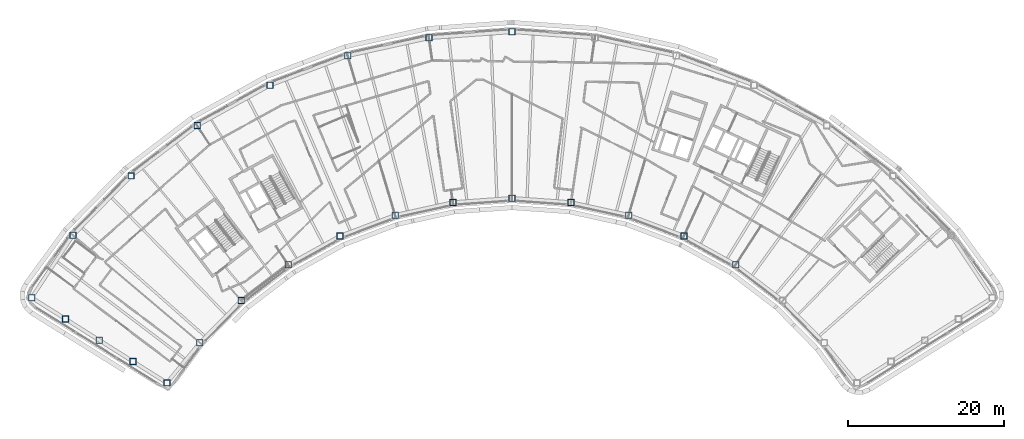
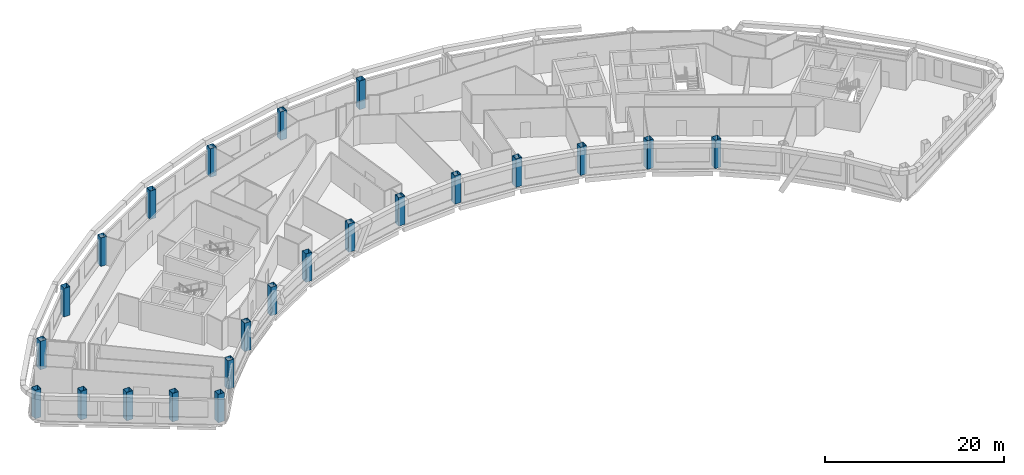
# One storey, part 1 of 14: 23 columns.
"""IFC4 building model written with IfcOpenShell, lengths in metres."""

from ifc_helpers import new_model, si_unit, direction, frame, origin, origin_2d, place, context, subcontext, project, spatial, hollow_rectangle, extrude, material, material_profile, profile_set, type_object, element, save


model = new_model("IFC4")

# Units and contexts
model_context = context("Model", 3, precision=1e-05, world=origin(), true_north=direction((0.0, 1.0)))
body_context = subcontext(model_context, "Body", "Model", "MODEL_VIEW")
ifc_project = project(units=[si_unit("LENGTHUNIT", "METRE"), si_unit("AREAUNIT", "SQUARE_METRE"), si_unit("VOLUMEUNIT", "CUBIC_METRE"), si_unit("PLANEANGLEUNIT", "RADIAN"), si_unit("MASSUNIT", "GRAM", prefix="KILO")], contexts=[model_context])

# Site, building, storey
site_placement = place(None, origin())
site = spatial("IfcSite", under=ifc_project, at=site_placement, CompositionType="ELEMENT")
building_placement = place(site_placement, origin())
building = spatial("IfcBuilding", under=site, at=building_placement, Name="Tuul Gate Civic Tower", CompositionType="ELEMENT")
storey_placement = place(building_placement, frame((0.0, 0.0, 323.89990234375)))
storey = spatial("IfcBuildingStorey", under=building, at=storey_placement, Name="Level 73", CompositionType="ELEMENT", Elevation=323.89990234375)

# Columns
ifc_material = material(Name="Steel S355", Category="steel")
ifc_material_profile = material_profile(ifc_material, hollow_rectangle(XDim=0.800048828125, YDim=0.800048828125, WallThickness=0.031982421875, at=origin_2d()), Name="BOX800x800x32")
ifc_profile_set = profile_set([ifc_material_profile], Name="Steel S355")
column_type = type_object("IfcColumnType", Name="STR-COLUMN-BOX800x800x32", PredefinedType="COLUMN", material=ifc_profile_set)
for number, where, z_axis, x_axis, name in (
    (1, (2.19189453125, 13.827880859375, 0.0), (0.0, 0.0, 1.0), (1.0, 0.0, 0.0), "Column"),
    (2, (-8.45703125, 13.055908203125, 0.0), (0.0, 0.0, 1.0), (1.0, 0.0, 0.0), "Column"),
    (3, (-18.885009765625, 10.758056640625, 0.0), (0.0, 0.0, 1.0), (1.0, 0.0, 0.0), "Column"),
    (4, (-28.8720703125, 6.98193359375, 0.0), (0.0, 0.0, 1.0), (1.0, 0.0, 0.0), "Column"),
    (5, (-38.2099609375, 1.804931640625, 0.0), (0.0, 0.0, 1.0), (1.0, 0.0, 0.0), "Column"),
    (6, (-46.7060546875, -4.6630859375, 0.0), (0.0, 0.0, 1.0), (1.0, 0.0, 0.0), "Column"),
    (7, (-54.179931640625, -12.2880859375, 0.0), (0.0, 0.0, 1.0), (1.0, 0.0, 0.0), "Column"),
    (8, (-59.47900390625, -20.300048828125, 0.0), (0.0, 0.0, 1.0), (1.0, 0.0, 0.0), "Column"),
    (9, (-55.135986328125, -23.034912109375, 0.0), (0.0, 0.0, 1.0), (1.0, 0.0, 0.0), "Column"),
    (10, (-50.7939453125, -25.77001953125, 0.0), (0.0, 0.0, 1.0), (1.0, 0.0, 0.0), "Column"),
    (11, (-46.450927734375, -28.50390625, 0.0), (0.0, 0.0, 1.0), (1.0, 0.0, 0.0), "Column"),
    (12, (-42.10888671875, -31.239013671875, 0.0), (0.0, 0.0, 1.0), (1.0, 0.0, 0.0), "Column"),
    (13, (-37.888916015625, -26.096923828125, 0.0), (0.0, 0.0, 1.0), (1.0, 0.0, 0.0), "Column"),
    (14, (-32.574951171875, -20.675048828125, 0.0), (0.0, 0.0, 1.0), (1.0, 0.0, 0.0), "Column"),
    (15, (-26.534912109375, -16.075927734375, 0.0), (0.0, 0.0, 1.0), (1.0, 0.0, 0.0), "Column"),
    (16, (-19.89501953125, -12.39599609375, 0.0), (0.0, 0.0, 1.0), (1.0, 0.0, 0.0), "Column"),
    (17, (-12.7939453125, -9.7099609375, 0.0), (0.0, 0.0, 1.0), (1.0, 0.0, 0.0), "Column"),
    (18, (-5.3798828125, -8.076904296875, 0.0), (0.0, 0.0, 1.0), (1.0, 0.0, 0.0), "Column"),
    (19, (2.19189453125, -7.528076171875, 0.0), (0.0, 0.0, 1.0), (1.0, 0.0, 0.0), "Column"),
    (20, (9.763916015625, -8.076904296875, 0.0), (0.0, 0.0, 1.0), (1.0, 0.0, 0.0), "Column"),
    (21, (17.177978515625, -9.7099609375, 0.0), (0.0, 0.0, 1.0), (1.0, 0.0, 0.0), "Column"),
    (22, (24.279052734375, -12.39599609375, 0.0), (0.0, 0.0, 1.0), (1.0, 0.0, 0.0), "Column"),
    (23, (30.9189453125, -16.075927734375, 0.0), (0.0, 0.0, 1.0), (1.0, 0.0, 0.0), "Column"),
):
    element("IfcColumn", number, at=place(storey_placement, frame(where, z_axis=z_axis, x_axis=x_axis)), inside=storey, type_object=column_type, Name=name, PredefinedType="COLUMN", context=body_context, shape_type="SweptSolid", body=[
        extrude(hollow_rectangle(XDim=0.800048828125, YDim=0.800048828125, WallThickness=0.031982421875, at=origin_2d()), origin(), (0.0, 0.0, 1.0), 3.900146484375),
    ])

save(model, "model.ifc")
